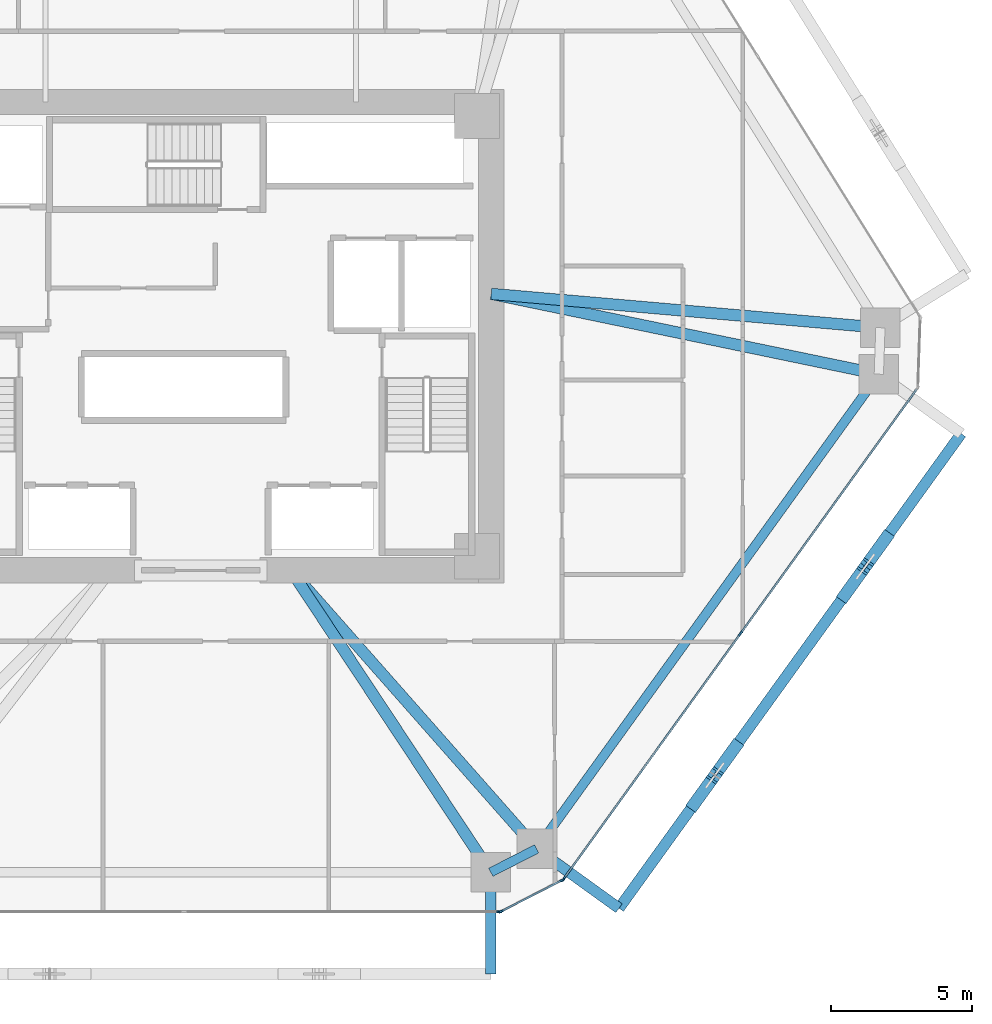
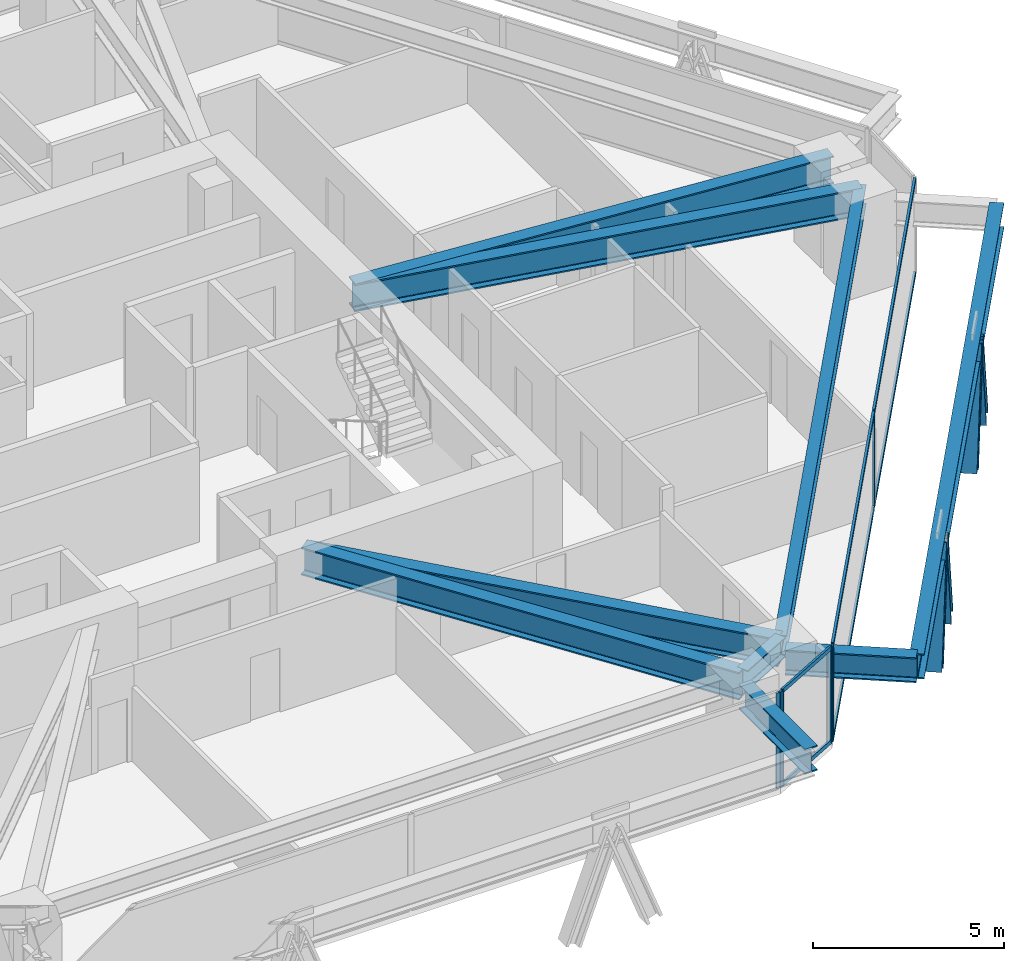
# One storey, part 5 of 17: 15 members, 9 beams, 3 elements without a shape of their own.
"""IFC4 building model written with IfcOpenShell, lengths in metres."""

from ifc_helpers import new_model, si_unit, direction, frame, origin, origin_2d, place, context, subcontext, project, spatial, rectangle, i_section, extrude, source, transform, mapped, material, layer, layer_set, material_profile, profile_set, type_object, type_shapes, element, aggregate, save


model = new_model("IFC4")

# Units and contexts
model_context = context("Model", 3, precision=1e-05, world=origin(), true_north=direction((0.0, 1.0)))
body_context = subcontext(model_context, "Body", "Model", "MODEL_VIEW")
ifc_project = project(units=[si_unit("LENGTHUNIT", "METRE"), si_unit("AREAUNIT", "SQUARE_METRE"), si_unit("VOLUMEUNIT", "CUBIC_METRE"), si_unit("PLANEANGLEUNIT", "RADIAN"), si_unit("MASSUNIT", "GRAM", prefix="KILO")], contexts=[model_context])

# Site, building, storey
site_placement = place(None, origin())
site = spatial("IfcSite", under=ifc_project, at=site_placement, CompositionType="ELEMENT")
building_placement = place(site_placement, origin())
building = spatial("IfcBuilding", under=site, at=building_placement, Name="Durnholm Broadcast Tower", CompositionType="ELEMENT")
storey_placement = place(building_placement, frame((0.0, 0.0, 58.800048828125)))
storey = spatial("IfcBuildingStorey", under=building, at=storey_placement, Name="L14", CompositionType="ELEMENT", Elevation=58.800048828125)

# Beams
ifc_material_1 = material(Name="Steel ASTM A992 Grade 50", Category="steel")
ifc_material_profile_1 = material_profile(ifc_material_1, i_section(OverallWidth=0.3291015625, OverallDepth=0.635009765625, WebThickness=0.017822265625, FlangeThickness=0.031005859375, FilletRadius=0.02783203125, at=origin_2d()), Name="W24X162")
ifc_profile_set_1 = profile_set([ifc_material_profile_1], Name="Steel ASTM A992 Grade 50")
beam_type_1 = type_object("IfcBeamType", Name="STL-SP-W24X162", PredefinedType="SPANDREL", material=ifc_profile_set_1)
shared_shape_1 = source(origin(), body_context, "Body", "SweptSolid", [
    extrude(i_section(OverallWidth=0.3291015625, OverallDepth=0.635009765625, WebThickness=0.017822265625, FlangeThickness=0.031005859375, FilletRadius=0.02783203125, at=origin_2d()), origin(), (0.0, 0.0, 1.0), 20.737060546875),
])
beam_1_placement = place(storey_placement, frame((24.034912109375, -1.347412109375, 2.7275390625), z_axis=(-0.584821933191, -0.811161701795, 0.0), x_axis=(0.811161701795, -0.584821933191, 0.0)))
element("IfcBeam", 1, at=beam_1_placement, inside=storey, type_object=beam_type_1, Name="L14 perimeter spandrel girder 09", PredefinedType="SPANDREL", context=body_context, shape_type="MappedRepresentation", body=[
    mapped(shared_shape_1, transform((0.0, 0.0, 0.0), x_axis=(1.0, 0.0, 0.0), y_axis=(0.0, 1.0, 0.0), z_axis=(0.0, 0.0, 1.0), scale=1.0)),
])
shared_shape_2 = source(origin(), body_context, "Body", "SweptSolid", [
    extrude(i_section(OverallWidth=0.3291015625, OverallDepth=0.635009765625, WebThickness=0.017822265625, FlangeThickness=0.031005859375, FilletRadius=0.02783203125, at=origin_2d()), origin(), (0.0, 0.0, 1.0), 1.8251953125),
])
type_shapes(beam_type_1, [shared_shape_1, shared_shape_2])
beam_2_placement = place(storey_placement, frame((11.907470703125, -18.16845703125, 2.7275390625), z_axis=(-0.890187609501, -0.455594139438, 0.0), x_axis=(0.455594139438, -0.890187609501, 0.0)))
element("IfcBeam", 2, at=beam_2_placement, inside=storey, type_object=beam_type_1, Name="L14 perimeter spandrel girder 10", PredefinedType="SPANDREL", context=body_context, shape_type="MappedRepresentation", body=[
    mapped(shared_shape_2, transform((0.0, 0.0, 0.0), x_axis=(1.0, 0.0, 0.0), y_axis=(0.0, 1.0, 0.0), z_axis=(0.0, 0.0, 1.0), scale=1.0)),
])
ifc_material_profile_2 = material_profile(ifc_material_1, i_section(OverallWidth=0.404052734375, OverallDepth=0.885009765625, WebThickness=0.0244140625, FlangeThickness=0.0439453125, FilletRadius=0.03564453125, at=origin_2d()), Name="W33X291")
ifc_profile_set_2 = profile_set([ifc_material_profile_2], Name="Steel ASTM A992 Grade 50")
beam_type_2 = type_object("IfcBeamType", Name="STL-GR-W33X291", PredefinedType="USERDEFINED", material=ifc_profile_set_2)
shared_shape_3 = source(origin(), body_context, "Body", "SweptSolid", [
    extrude(i_section(OverallWidth=0.404052734375, OverallDepth=0.885009765625, WebThickness=0.0244140625, FlangeThickness=0.0439453125, FilletRadius=0.03564453125, at=origin_2d()), origin(), (0.0, 0.0, 1.0), 13.843017578125),
])
beam_3_placement = place(storey_placement, frame((10.300048828125, 1.5, 2.6025390625), z_axis=(0.996234364864, -0.086701154915, 0.0), x_axis=(0.086701154915, 0.996234364864, 0.0)))
element("IfcBeam", 3, at=beam_3_placement, inside=storey, type_object=beam_type_2, Name="L14 radial primary floor girder 08", ObjectType="GIRDER", PredefinedType="USERDEFINED", context=body_context, shape_type="MappedRepresentation", body=[
    mapped(shared_shape_3, transform((0.0, 0.0, 0.0), x_axis=(1.0, 0.0, 0.0), y_axis=(0.0, 1.0, 0.0), z_axis=(0.0, 0.0, 1.0), scale=1.0)),
])
shared_shape_4 = source(origin(), body_context, "Body", "SweptSolid", [
    extrude(i_section(OverallWidth=0.404052734375, OverallDepth=0.885009765625, WebThickness=0.0244140625, FlangeThickness=0.0439453125, FilletRadius=0.03564453125, at=origin_2d()), origin(), (0.0, 0.0, 1.0), 14.02685546875),
])
beam_4_placement = place(storey_placement, frame((10.300048828125, 1.5, 2.6025390625), z_axis=(0.979179487914, -0.202996380382, 0.0), x_axis=(0.202996380382, 0.979179487914, 0.0)))
element("IfcBeam", 4, at=beam_4_placement, inside=storey, type_object=beam_type_2, Name="L14 radial primary floor girder 09", ObjectType="GIRDER", PredefinedType="USERDEFINED", context=body_context, shape_type="MappedRepresentation", body=[
    mapped(shared_shape_4, transform((0.0, 0.0, 0.0), x_axis=(1.0, 0.0, 0.0), y_axis=(0.0, 1.0, 0.0), z_axis=(0.0, 0.0, 1.0), scale=1.0)),
])
shared_shape_5 = source(origin(), body_context, "Body", "SweptSolid", [
    extrude(i_section(OverallWidth=0.404052734375, OverallDepth=0.885009765625, WebThickness=0.0244140625, FlangeThickness=0.0439453125, FilletRadius=0.03564453125, at=origin_2d()), origin(), (0.0, 0.0, 1.0), 13.160888671875),
])
beam_5_placement = place(storey_placement, frame((3.199951171875, -8.300048828125, 2.6025390625), z_axis=(0.661625931866, -0.749834065832, 0.0), x_axis=(0.749834065832, 0.661625931866, 0.0)))
element("IfcBeam", 5, at=beam_5_placement, inside=storey, type_object=beam_type_2, Name="L14 radial primary floor girder 10", ObjectType="GIRDER", PredefinedType="USERDEFINED", context=body_context, shape_type="MappedRepresentation", body=[
    mapped(shared_shape_5, transform((0.0, 0.0, 0.0), x_axis=(1.0, 0.0, 0.0), y_axis=(0.0, 1.0, 0.0), z_axis=(0.0, 0.0, 1.0), scale=1.0)),
])
shared_shape_6 = source(origin(), body_context, "Body", "SweptSolid", [
    extrude(i_section(OverallWidth=0.404052734375, OverallDepth=0.885009765625, WebThickness=0.0244140625, FlangeThickness=0.0439453125, FilletRadius=0.03564453125, at=origin_2d()), origin(), (0.0, 0.0, 1.0), 12.831787109375),
])
type_shapes(beam_type_2, [shared_shape_3, shared_shape_4, shared_shape_5, shared_shape_6])
beam_6_placement = place(storey_placement, frame((3.199951171875, -8.300048828125, 2.6025390625), z_axis=(0.551970609544, -0.833863565699, 0.0), x_axis=(0.833863565699, 0.551970609544, 0.0)))
element("IfcBeam", 6, at=beam_6_placement, inside=storey, type_object=beam_type_2, Name="L14 radial primary floor girder 11", ObjectType="GIRDER", PredefinedType="USERDEFINED", context=body_context, shape_type="MappedRepresentation", body=[
    mapped(shared_shape_6, transform((0.0, 0.0, 0.0), x_axis=(1.0, 0.0, 0.0), y_axis=(0.0, 1.0, 0.0), z_axis=(0.0, 0.0, 1.0), scale=1.0)),
])
ifc_material_profile_3 = material_profile(ifc_material_1, i_section(OverallWidth=0.385009765625, OverallDepth=0.802978515625, WebThickness=0.023681640625, FlangeThickness=0.0419921875, FilletRadius=0.032958984375, at=origin_2d()), Name="W30X261")
ifc_profile_set_3 = profile_set([ifc_material_profile_3], Name="Steel ASTM A992 Grade 50")
beam_type_3 = type_object("IfcBeamType", Name="BM-EXO-TIE", PredefinedType="USERDEFINED", material=ifc_profile_set_3)
shared_shape_7 = source(origin(), body_context, "Body", "SweptSolid", [
    extrude(i_section(OverallWidth=0.385009765625, OverallDepth=0.802978515625, WebThickness=0.023681640625, FlangeThickness=0.0419921875, FilletRadius=0.032958984375, at=origin_2d()), origin(), (0.0, 0.0, 1.0), 3.4560546875),
])
for number, where, z_axis, x_axis, name in (
    (7, (10.28271484375, -19.14404296875, 2.30859375), (0.0, -1.0, 0.0), (1.0, 0.0, 0.0), "L14 exoskeleton stand-off tie bracket F1.2"),
    (8, (12.024169921875, -18.252685546875, 2.30859375), (0.811157675106, -0.584827518262, 0.0), (0.584827518262, 0.811157675106, 0.0), "L14 exoskeleton stand-off tie bracket F2.1"),
):
    element("IfcBeam", number, at=place(storey_placement, frame(where, z_axis=z_axis, x_axis=x_axis)), inside=storey, type_object=beam_type_3, Name=name, ObjectType="GIRDER", PredefinedType="USERDEFINED", context=body_context, shape_type="MappedRepresentation", body=[
        mapped(shared_shape_7, transform((0.0, 0.0, 0.0), x_axis=(1.0, 0.0, 0.0), y_axis=(0.0, 1.0, 0.0), z_axis=(0.0, 0.0, 1.0), scale=1.0)),
    ])
shared_shape_8 = source(origin(), body_context, "Body", "SweptSolid", [
    extrude(i_section(OverallWidth=0.385009765625, OverallDepth=0.802978515625, WebThickness=0.023681640625, FlangeThickness=0.0419921875, FilletRadius=0.032958984375, at=origin_2d()), origin(), (0.0, 0.0, 1.0), 20.737060546875),
])
type_shapes(beam_type_3, [shared_shape_7, shared_shape_8])
beam_7_placement = place(storey_placement, frame((14.82763671875, -20.27392578125, 2.30859375), z_axis=(0.5848163482, 0.811165728368, 0.0), x_axis=(-0.811165728368, 0.5848163482, 0.0)))
element("IfcBeam", 9, at=beam_7_placement, inside=storey, type_object=beam_type_3, Name="L14 exoskeleton collector spandrel F2", PredefinedType="SPANDREL", context=body_context, shape_type="MappedRepresentation", body=[
    mapped(shared_shape_8, transform((0.0, 0.0, 0.0), x_axis=(1.0, 0.0, 0.0), y_axis=(0.0, 1.0, 0.0), z_axis=(0.0, 0.0, 1.0), scale=1.0)),
])

# Members
ifc_material_2 = material(Name="Steel ASTM A913 Grade 65", Category="steel")
ifc_material_profile_4 = material_profile(ifc_material_2, i_section(OverallWidth=0.43212890625, OverallDepth=0.497802734375, WebThickness=0.0556640625, FlangeThickness=0.0888671875, FilletRadius=0.030517578125, at=origin_2d()), Name="W14X500")
ifc_profile_set_4 = profile_set([ifc_material_profile_4], Name="Steel ASTM A913 Grade 65")
member_type_1 = type_object("IfcMemberType", Name="STL-DG-W14X500", PredefinedType="BRACE", material=ifc_profile_set_4)
shared_shape_9 = source(origin(), body_context, "Body", "SweptSolid", [
    extrude(i_section(OverallWidth=0.43212890625, OverallDepth=0.497802734375, WebThickness=0.0556640625, FlangeThickness=0.0888671875, FilletRadius=0.030517578125, at=origin_2d()), origin(), (0.0, 0.0, 1.0), 3.523193359375),
])
type_shapes(member_type_1, [shared_shape_9])
for number, where, z_axis, x_axis, name in (
    (10, (17.501708984375, -16.564697265625, -0.991455078125), (0.204839138341, 0.284044529113, 0.93667477434), (-0.81109123444, 0.58491966065, 0.0), "L14 stand-off diagrid brace F2.D1.1"),
    (11, (18.94482421875, -14.563232421875, -0.991455078125), (-0.20477274847, -0.284048560399, 0.936688068046), (0.811185111535, -0.584789461963, 0.0), "L14 stand-off diagrid brace F2.D1.2"),
    (12, (22.837890625, -9.163330078125, -0.991455078125), (0.204839138341, 0.284044529113, 0.93667477434), (-0.81109123444, 0.58491966065, 0.0), "L14 stand-off diagrid brace F2.D2.1"),
    (13, (24.281005859375, -7.161865234375, -0.991455078125), (-0.20477274847, -0.284048560399, 0.936688068046), (0.811185111535, -0.584789461963, 0.0), "L14 stand-off diagrid brace F2.D2.2"),
):
    element("IfcMember", number, at=place(storey_placement, frame(where, z_axis=z_axis, x_axis=x_axis)), inside=storey, type_object=member_type_1, Name=name, PredefinedType="BRACE", context=body_context, shape_type="MappedRepresentation", body=[
        mapped(shared_shape_9, transform((0.0, 0.0, 0.0), x_axis=(1.0, 0.0, 0.0), y_axis=(0.0, 1.0, 0.0), z_axis=(0.0, 0.0, 1.0), scale=1.0)),
    ])

# Curtain wall, members
ifc_material_3 = material(Name="Aluminium and Solar Control IGU", Category="aluminium")
ifc_layer_1 = layer(ifc_material_3, 0.1650390625)
ifc_layer_set_1 = layer_set([ifc_layer_1], Name="Aluminium and Solar Control IGU")
curtain_wall_type_1 = type_object("IfcCurtainWallType", Name="CW-SYS-5", PredefinedType="NOTDEFINED", material=ifc_layer_set_1)
curtain_wall_1_placement = place(storey_placement, origin())
curtain_wall_1 = element("IfcCurtainWall", 14, at=curtain_wall_1_placement, inside=storey, type_object=curtain_wall_type_1, Name="L14 curtain wall CW-CORNER CW-L14-CRN-09", PredefinedType="NOTDEFINED")
ifc_material_4 = material(Name="Aluminium 6063-T6", Category="aluminium")
ifc_material_profile_5 = material_profile(ifc_material_4, rectangle(XDim=0.06494140625, YDim=0.1650390625, at=origin_2d()), Name="CWM65X165")
ifc_profile_set_5 = profile_set([ifc_material_profile_5], Name="Aluminium 6063-T6")
member_type_2 = type_object("IfcMemberType", Name="CW-SYS-5-MUL", PredefinedType="MULLION", material=ifc_profile_set_5)
shared_shape_10 = source(origin(), body_context, "Body", "SweptSolid", [
    extrude(rectangle(XDim=0.06494140625, YDim=0.1650390625, at=origin_2d()), origin(), (0.0, 0.0, 1.0), 3.06005859375),
])
type_shapes(member_type_2, [shared_shape_10])
member_1_placement = place(storey_placement, frame((12.816650390625, -19.27587890625, 0.0), z_axis=(0.0, 0.0, 1.0), x_axis=(0.455593758406, -0.890187804512, 0.0)))
member_1 = element("IfcMember", 15, at=member_1_placement, type_object=member_type_2, Name="CW-CORNER mullion 1", PredefinedType="MULLION", context=body_context, shape_type="MappedRepresentation", body=[
    mapped(shared_shape_10, transform((0.0, 0.0, 0.0), x_axis=(1.0, 0.0, 0.0), y_axis=(0.0, 1.0, 0.0), z_axis=(0.0, 0.0, 1.0), scale=1.0)),
])
member_2_placement = place(storey_placement, frame((10.649169921875, -20.38525390625, 0.0), z_axis=(0.0, 0.0, 1.0), x_axis=(0.455593758406, -0.890187804512, 0.0)))
member_2 = element("IfcMember", 16, at=member_2_placement, type_object=member_type_2, Name="CW-CORNER mullion 2", PredefinedType="MULLION", context=body_context, shape_type="MappedRepresentation", body=[
    mapped(shared_shape_10, transform((0.0, 0.0, 0.0), x_axis=(1.0, 0.0, 0.0), y_axis=(0.0, 1.0, 0.0), z_axis=(0.0, 0.0, 1.0), scale=1.0)),
])
ifc_material_profile_6 = material_profile(ifc_material_4, rectangle(XDim=0.06494140625, YDim=0.1298828125, at=origin_2d()), Name="CWT65X130")
ifc_profile_set_6 = profile_set([ifc_material_profile_6], Name="Aluminium 6063-T6")
member_type_3 = type_object("IfcMemberType", Name="CW-SYS-5-TRN", PredefinedType="USERDEFINED", material=ifc_profile_set_6)
shared_shape_11 = source(origin(), body_context, "Body", "SweptSolid", [
    extrude(rectangle(XDim=0.06494140625, YDim=0.1298828125, at=origin_2d()), origin(), (0.0, 0.0, 1.0), 2.3701171875),
])
type_shapes(member_type_3, [shared_shape_11])
member_3_placement = place(storey_placement, frame((12.787841796875, -19.29052734375, 0.032470703125), z_axis=(-0.890185016934, -0.455599205033, 0.0), x_axis=(0.455599205033, -0.890185016934, 0.0)))
member_3 = element("IfcMember", 17, at=member_3_placement, type_object=member_type_3, Name="CW-CORNER transom 1.1", ObjectType="TRANSOM", PredefinedType="USERDEFINED", context=body_context, shape_type="MappedRepresentation", body=[
    mapped(shared_shape_11, transform((0.0, 0.0, 0.0), x_axis=(1.0, 0.0, 0.0), y_axis=(0.0, 1.0, 0.0), z_axis=(0.0, 0.0, 1.0), scale=1.0)),
])
member_4_placement = place(storey_placement, frame((12.787841796875, -19.29052734375, 3.02734375), z_axis=(-0.890185016934, -0.455599205033, 0.0), x_axis=(0.455599205033, -0.890185016934, 0.0)))
member_4 = element("IfcMember", 18, at=member_4_placement, type_object=member_type_3, Name="CW-CORNER transom 1.2", ObjectType="TRANSOM", PredefinedType="USERDEFINED", context=body_context, shape_type="MappedRepresentation", body=[
    mapped(shared_shape_11, transform((0.0, 0.0, 0.0), x_axis=(1.0, 0.0, 0.0), y_axis=(0.0, 1.0, 0.0), z_axis=(0.0, 0.0, 1.0), scale=1.0)),
])
aggregate(curtain_wall_1, [member_1, member_2, member_3, member_4])

ifc_layer_2 = layer(ifc_material_3, 0.18994140625)
ifc_layer_set_2 = layer_set([ifc_layer_2], Name="Aluminium and Solar Control IGU")
curtain_wall_type_2 = type_object("IfcCurtainWallType", Name="CW-SYS-3", PredefinedType="NOTDEFINED", material=ifc_layer_set_2)
curtain_wall_2_placement = place(storey_placement, origin())
curtain_wall_2 = element("IfcCurtainWall", 19, at=curtain_wall_2_placement, inside=storey, type_object=curtain_wall_type_2, Name="L14 curtain wall CW-Z12-VIS CW-L14-F08", PredefinedType="NOTDEFINED")
ifc_material_profile_7 = material_profile(ifc_material_4, rectangle(XDim=0.070068359375, YDim=0.18994140625, at=origin_2d()), Name="CWM70X190")
ifc_profile_set_7 = profile_set([ifc_material_profile_7], Name="Aluminium 6063-T6")
member_type_4 = type_object("IfcMemberType", Name="CW-SYS-3-MUL", PredefinedType="MULLION", material=ifc_profile_set_7)
shared_shape_12 = source(origin(), body_context, "Body", "SweptSolid", [
    extrude(rectangle(XDim=0.070068359375, YDim=0.18994140625, at=origin_2d()), origin(), (0.0, 0.0, 1.0), 3.06005859375),
])
type_shapes(member_type_4, [shared_shape_12])
member_5_placement = place(storey_placement, frame((19.1328125, -10.540771484375, 0.0), z_axis=(0.0, 0.0, 1.0), x_axis=(0.81116057493, -0.584823496176, 0.0)))
member_5 = element("IfcMember", 20, at=member_5_placement, type_object=member_type_4, Name="CW-Z12-VIS mullion 2", PredefinedType="MULLION", context=body_context, shape_type="MappedRepresentation", body=[
    mapped(shared_shape_12, transform((0.0, 0.0, 0.0), x_axis=(1.0, 0.0, 0.0), y_axis=(0.0, 1.0, 0.0), z_axis=(0.0, 0.0, 1.0), scale=1.0)),
])
member_6_placement = place(storey_placement, frame((12.8662109375, -19.232666015625, 0.0), z_axis=(0.0, 0.0, 1.0), x_axis=(0.81116057493, -0.584823496176, 0.0)))
member_6 = element("IfcMember", 21, at=member_6_placement, type_object=member_type_4, Name="CW-Z12-VIS mullion 3", PredefinedType="MULLION", context=body_context, shape_type="MappedRepresentation", body=[
    mapped(shared_shape_12, transform((0.0, 0.0, 0.0), x_axis=(1.0, 0.0, 0.0), y_axis=(0.0, 1.0, 0.0), z_axis=(0.0, 0.0, 1.0), scale=1.0)),
])

# Curtain wall, member
curtain_wall_3_placement = place(storey_placement, origin())
curtain_wall_3 = element("IfcCurtainWall", 22, at=curtain_wall_3_placement, inside=storey, type_object=curtain_wall_type_2, Name="L14 curtain wall CW-Z12-VIS CW-L14-F10", PredefinedType="NOTDEFINED")
member_7_placement = place(storey_placement, frame((10.585205078125, -20.39990234375, 0.0), z_axis=(0.0, 0.0, 1.0), x_axis=(0.0, -1.0, 0.0)))
member_7 = element("IfcMember", 23, at=member_7_placement, type_object=member_type_4, Name="CW-Z12-VIS mullion 1", PredefinedType="MULLION", context=body_context, shape_type="MappedRepresentation", body=[
    mapped(shared_shape_12, transform((0.0, 0.0, 0.0), x_axis=(1.0, 0.0, 0.0), y_axis=(0.0, 1.0, 0.0), z_axis=(0.0, 0.0, 1.0), scale=1.0)),
])
aggregate(curtain_wall_3, [member_7])

# Member
ifc_material_profile_8 = material_profile(ifc_material_4, rectangle(XDim=0.070068359375, YDim=0.14990234375, at=origin_2d()), Name="CWT70X150")
ifc_profile_set_8 = profile_set([ifc_material_profile_8], Name="Aluminium 6063-T6")
member_type_5 = type_object("IfcMemberType", Name="CW-SYS-3-TRN", PredefinedType="USERDEFINED", material=ifc_profile_set_8)
shared_shape_13 = source(origin(), body_context, "Body", "SweptSolid", [
    extrude(rectangle(XDim=0.070068359375, YDim=0.14990234375, at=origin_2d()), origin(), (0.0, 0.0, 1.0), 10.6455078125),
])
member_8_placement = place(storey_placement, frame((25.37890625, -1.877197265625, 0.034912109375), z_axis=(-0.584812103659, -0.811168788486, 0.0), x_axis=(0.811168788486, -0.584812103659, 0.0)))
member_8 = element("IfcMember", 24, at=member_8_placement, type_object=member_type_5, Name="CW-Z12-VIS transom 1.1", ObjectType="TRANSOM", PredefinedType="USERDEFINED", context=body_context, shape_type="MappedRepresentation", body=[
    mapped(shared_shape_13, transform((0.0, 0.0, 0.0), x_axis=(1.0, 0.0, 0.0), y_axis=(0.0, 1.0, 0.0), z_axis=(0.0, 0.0, 1.0), scale=1.0)),
])

member_9_placement = place(storey_placement, frame((25.37890625, -1.877197265625, 3.02490234375), z_axis=(-0.584812103659, -0.811168788486, 0.0), x_axis=(0.811168788486, -0.584812103659, 0.0)))
member_9 = element("IfcMember", 25, at=member_9_placement, type_object=member_type_5, Name="CW-Z12-VIS transom 1.2", ObjectType="TRANSOM", PredefinedType="USERDEFINED", context=body_context, shape_type="MappedRepresentation", body=[
    mapped(shared_shape_13, transform((0.0, 0.0, 0.0), x_axis=(1.0, 0.0, 0.0), y_axis=(0.0, 1.0, 0.0), z_axis=(0.0, 0.0, 1.0), scale=1.0)),
])

shared_shape_14 = source(origin(), body_context, "Body", "SweptSolid", [
    extrude(rectangle(XDim=0.070068359375, YDim=0.14990234375, at=origin_2d()), origin(), (0.0, 0.0, 1.0), 10.645263671875),
])
type_shapes(member_type_5, [shared_shape_13, shared_shape_14])
member_10_placement = place(storey_placement, frame((19.1123046875, -10.569091796875, 0.034912109375), z_axis=(-0.584822983179, -0.811160944786, 0.0), x_axis=(0.811160944786, -0.584822983179, 0.0)))
member_10 = element("IfcMember", 26, at=member_10_placement, type_object=member_type_5, Name="CW-Z12-VIS transom 2.1", ObjectType="TRANSOM", PredefinedType="USERDEFINED", context=body_context, shape_type="MappedRepresentation", body=[
    mapped(shared_shape_14, transform((0.0, 0.0, 0.0), x_axis=(1.0, 0.0, 0.0), y_axis=(0.0, 1.0, 0.0), z_axis=(0.0, 0.0, 1.0), scale=1.0)),
])

member_11_placement = place(storey_placement, frame((19.1123046875, -10.569091796875, 3.02490234375), z_axis=(-0.584822983179, -0.811160944786, 0.0), x_axis=(0.811160944786, -0.584822983179, 0.0)))
member_11 = element("IfcMember", 27, at=member_11_placement, type_object=member_type_5, Name="CW-Z12-VIS transom 2.2", ObjectType="TRANSOM", PredefinedType="USERDEFINED", context=body_context, shape_type="MappedRepresentation", body=[
    mapped(shared_shape_14, transform((0.0, 0.0, 0.0), x_axis=(1.0, 0.0, 0.0), y_axis=(0.0, 1.0, 0.0), z_axis=(0.0, 0.0, 1.0), scale=1.0)),
])

aggregate(curtain_wall_2, [member_5, member_6, member_8, member_9, member_10, member_11])

save(model, "model.ifc")
